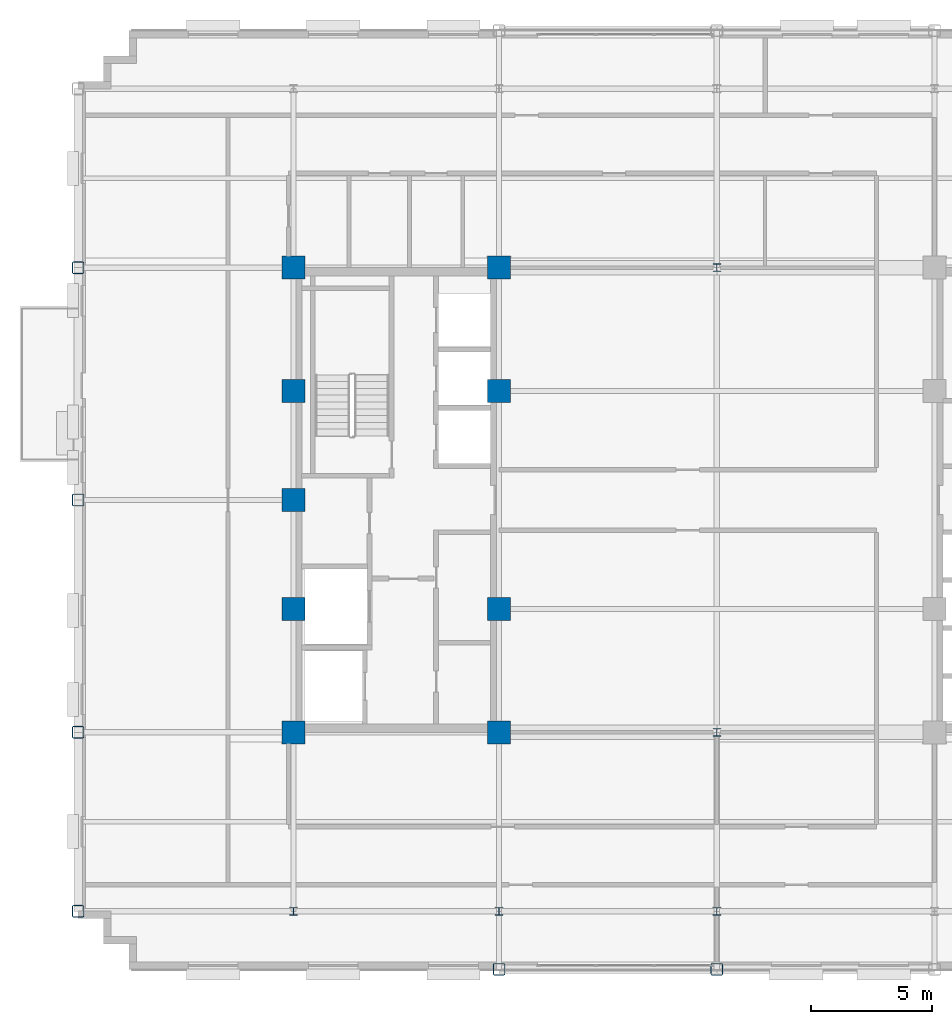
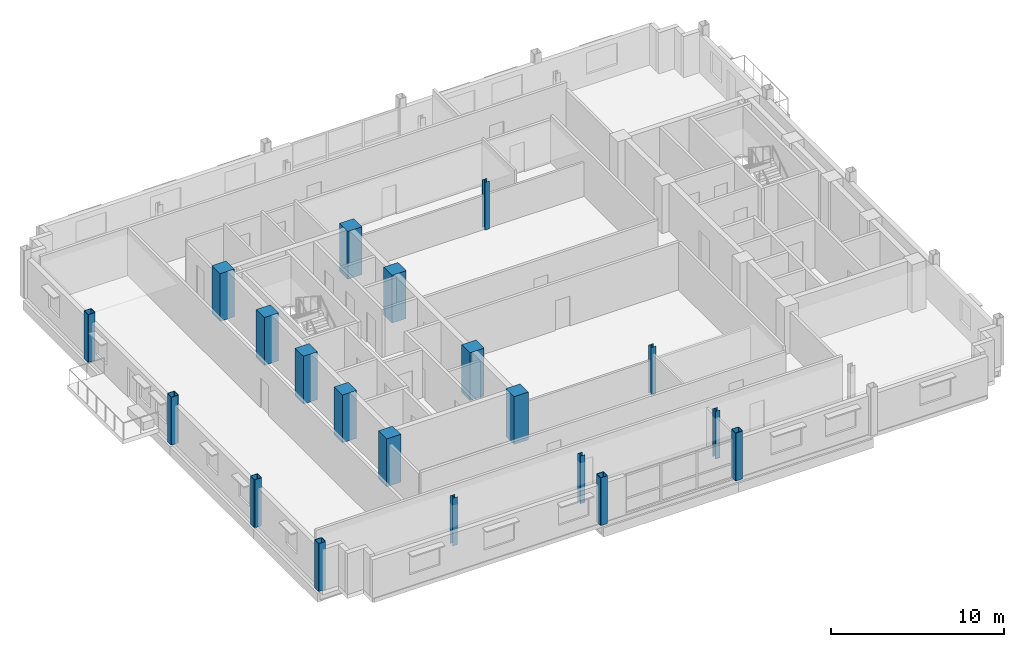
# One storey, part 1 of 15: 20 columns.
"""IFC4 building model written with IfcOpenShell, lengths in metres."""

import ifcopenshell
import ifcopenshell.guid

model = None  # the IFC model being written
_history = None  # IfcOwnerHistory: only IFC2X3 demands one
_inside = {}  # id of a spatial element -> (the spatial element, [elements in it])
_under = {}  # id of a project, library or spatial element -> (it, [spatial elements below it])
_declared = {}  # id of a project -> (the project, [libraries it declares])
_typed = {}  # id of a type object -> (the type object, [elements of that type])
_made_of = {}  # id of a material, layer set ... -> (it, [elements and type objects made of it])


def new_model(schema):
    """Start an empty IFC model of exactly this schema.

    Asked for "IFC4X3", IfcOpenShell would pick the latest addendum, in which some entities
    have other attributes; the version numbers below select the first issue.
    IFC2X3 requires an IfcOwnerHistory on every rooted entity: one is made here for all.
    """
    global model, _history
    if schema == "IFC4X3":
        model = ifcopenshell.file(schema_version=(4, 3, 0, 0))
    else:
        model = ifcopenshell.file(schema=schema)
    _inside.clear()
    _under.clear()
    _declared.clear()
    _typed.clear()
    _made_of.clear()
    _history = None
    if model.schema == "IFC2X3":
        org = make("IfcOrganization", Name="unknown")
        user = make(
            "IfcPersonAndOrganization",
            ThePerson=make("IfcPerson", FamilyName="unknown"),
            TheOrganization=org,
        )
        app = make(
            "IfcApplication",
            ApplicationDeveloper=org,
            Version="unknown",
            ApplicationFullName="unknown",
            ApplicationIdentifier="unknown",
        )
        _history = make(
            "IfcOwnerHistory",
            OwningUser=user,
            OwningApplication=app,
            ChangeAction="ADDED",
            CreationDate=0,
        )
    return model


def make(cls, **values):
    """One entity of the class cls with the attributes given. An attribute that is None is left unset."""
    return model.create_entity(
        cls, **{name: value for name, value in values.items() if value is not None}
    )


def rooted(cls, **values):
    """An entity with a GlobalId (a new one), such as an element, a storey or a relation."""
    return make(cls, GlobalId=ifcopenshell.guid.new(), OwnerHistory=_history, **values)


def si_unit(unit_type, name, prefix=None):
    """IfcSIUnit, for example si_unit("LENGTHUNIT", "METRE", prefix="MILLI")."""
    return make("IfcSIUnit", UnitType=unit_type, Prefix=prefix, Name=name)


def assignment(units):
    """IfcUnitAssignment: the units of a project."""
    return None if units is None else make("IfcUnitAssignment", Units=units)


def point(xyz):
    """IfcCartesianPoint."""
    return None if xyz is None else make("IfcCartesianPoint", Coordinates=xyz)


def direction(xyz):
    """IfcDirection."""
    return None if xyz is None else make("IfcDirection", DirectionRatios=xyz)


def frame(location, z_axis=None, x_axis=None):
    """IfcAxis2Placement3D, a coordinate frame: its origin and axes. An axis left out is left unset."""
    return make(
        "IfcAxis2Placement3D",
        Location=point(location),
        Axis=direction(z_axis),
        RefDirection=direction(x_axis),
    )


def frame_2d(location, x_axis=None):
    """IfcAxis2Placement2D, a coordinate frame in the plane: its origin and x axis."""
    return make(
        "IfcAxis2Placement2D", Location=point(location), RefDirection=direction(x_axis)
    )


def origin():
    """The frame at (0, 0, 0) with its axes left unset."""
    return frame((0.0, 0.0, 0.0))


def origin_2d():
    """The frame at (0, 0) in the plane with its x axis left unset."""
    return frame_2d((0.0, 0.0))


def place(relative_to, where):
    """IfcLocalPlacement: puts the frame where relative to a parent placement (None: the world)."""
    return make(
        "IfcLocalPlacement", PlacementRelTo=relative_to, RelativePlacement=where
    )


def context(
    kind, dimensions, precision=None, world=None, true_north=None, identifier=None
):
    """IfcGeometricRepresentationContext, for example the 3D "Model" context."""
    return make(
        "IfcGeometricRepresentationContext",
        ContextIdentifier=identifier,
        ContextType=kind,
        CoordinateSpaceDimension=dimensions,
        Precision=precision,
        WorldCoordinateSystem=world,
        TrueNorth=true_north,
    )


def subcontext(parent, identifier, kind, view, scale=None):
    """IfcGeometricRepresentationSubContext, for example "Body" below "Model"."""
    return make(
        "IfcGeometricRepresentationSubContext",
        ContextIdentifier=identifier,
        ContextType=kind,
        ParentContext=parent,
        TargetScale=scale,
        TargetView=view,
    )


def project(units=None, contexts=None):
    """IfcProject with its units and contexts."""
    return rooted(
        "IfcProject",
        Name="project",
        RepresentationContexts=contexts,
        UnitsInContext=assignment(units),
    )


def spatial(cls, under=None, at=None, **own):
    """A site, building, storey or space (cls), placed at a placement, below another one or the project."""
    s = rooted(cls, ObjectPlacement=at, **own)
    if under is not None:
        _under.setdefault(under.id(), (under, []))[1].append(s)
    return s


def profile(cls, at=None, kind="AREA", **sizes):
    """A parametric profile (cls). Its sizes go by their IFC names, for example OverallWidth=200.0."""
    return make(cls, ProfileType=kind, Position=at, **sizes)


def rectangle(**sizes):
    """IfcRectangleProfileDef."""
    return profile("IfcRectangleProfileDef", **sizes)


def hollow_rectangle(**sizes):
    """IfcRectangleHollowProfileDef."""
    return profile("IfcRectangleHollowProfileDef", **sizes)


def i_section(**sizes):
    """IfcIShapeProfileDef."""
    return profile("IfcIShapeProfileDef", **sizes)


def extrude(swept, where, along, depth):
    """IfcExtrudedAreaSolid: the profile swept, set in the frame where, extruded along a direction by depth."""
    return make(
        "IfcExtrudedAreaSolid",
        SweptArea=swept,
        Position=where,
        ExtrudedDirection=direction(along),
        Depth=depth,
    )


def shape(context_of_items, identifier, shape_type, items):
    """IfcShapeRepresentation: the items that make up one representation, for example the "Body"."""
    return make(
        "IfcShapeRepresentation",
        ContextOfItems=context_of_items,
        RepresentationIdentifier=identifier,
        RepresentationType=shape_type,
        Items=items,
    )


def material(Name=None, Category=None):
    """IfcMaterial."""
    return make("IfcMaterial", Name=Name, Category=Category)


def material_profile(
    of_material, cross_section, Name=None, Category=None, Priority=None
):
    """IfcMaterialProfile: a cross section and its material."""
    return make(
        "IfcMaterialProfile",
        Name=Name,
        Material=of_material,
        Profile=cross_section,
        Priority=Priority,
        Category=Category,
    )


def profile_set(profiles, Name=None, composite=None):
    """IfcMaterialProfileSet."""
    return make(
        "IfcMaterialProfileSet",
        Name=Name,
        MaterialProfiles=profiles,
        CompositeProfile=composite,
    )


def made_of(thing, what):
    """Note that an element or type object is made of a material, layer set ...; save() writes the relation."""
    if what is not None:
        _made_of.setdefault(what.id(), (what, []))[1].append(thing)
    return thing


def type_object(cls, material=None, **own):
    """A type object (cls), such as IfcWallType, which elements share."""
    return made_of(rooted(cls, **own), material)


def element(
    cls,
    number,
    at=None,
    inside=None,
    cuts=None,
    type_object=None,
    material=None,
    context=None,
    identifier="Body",
    shape_type=None,
    held_by="IfcProductDefinitionShape",
    body=None,
    shapes=None,
    **own,
):
    """One element of the class cls, such as IfcWall. Its Tag is "e" and its number.

    at: its placement. inside: the storey or other place that contains it. cuts: it is an
    opening in that element (IfcRelVoidsElement). A single representation is given by context,
    identifier, shape_type and body (its items); several are given by shapes. held_by: the class
    of the entity that holds the representations. save() writes the other relations.
    """
    e = rooted(cls, Tag="e%d" % number, ObjectPlacement=at, **own)
    if body is not None:
        shapes = [shape(context, identifier, shape_type, body)]
    if shapes is not None:
        e.Representation = make(held_by, Representations=shapes)
    if inside is not None:
        _inside.setdefault(inside.id(), (inside, []))[1].append(e)
    if cuts is not None:
        rooted(
            "IfcRelVoidsElement", RelatingBuildingElement=cuts, RelatedOpeningElement=e
        )
    if type_object is not None:
        _typed.setdefault(type_object.id(), (type_object, []))[1].append(e)
    return made_of(e, material)


def aggregate(whole, parts):
    """IfcRelAggregates: a whole, such as a stair, and the parts it consists of."""
    return rooted("IfcRelAggregates", RelatingObject=whole, RelatedObjects=parts)


def save(model, path):
    """Write the relations noted so far, then the file.

    IfcRelAggregates (storeys below a building ...), IfcRelContainedInSpatialStructure (elements
    in a storey), IfcRelDefinesByType, IfcRelAssociatesMaterial and IfcRelDeclares: one each for
    every whole, place, type object, material and project.
    """
    for whole, parts in _under.values():
        aggregate(whole, parts)
    for where, things in _inside.values():
        rooted(
            "IfcRelContainedInSpatialStructure",
            RelatedElements=things,
            RelatingStructure=where,
        )
    for kind, things in _typed.values():
        rooted("IfcRelDefinesByType", RelatedObjects=things, RelatingType=kind)
    for what, things in _made_of.values():
        rooted("IfcRelAssociatesMaterial", RelatedObjects=things, RelatingMaterial=what)
    for by, libraries in _declared.values():
        rooted("IfcRelDeclares", RelatingContext=by, RelatedDefinitions=libraries)
    model.write(path)


model = new_model("IFC4")

# Units and contexts
model_context = context("Model", 3, precision=1e-05, world=origin(), true_north=direction((0.0, 1.0)))
body_context = subcontext(model_context, "Body", "Model", "MODEL_VIEW")
ifc_project = project(units=[si_unit("LENGTHUNIT", "METRE"), si_unit("AREAUNIT", "SQUARE_METRE"), si_unit("VOLUMEUNIT", "CUBIC_METRE"), si_unit("PLANEANGLEUNIT", "RADIAN"), si_unit("MASSUNIT", "GRAM", prefix="KILO")], contexts=[model_context])

# Site, building, storey
site_placement = place(None, origin())
site = spatial("IfcSite", under=ifc_project, at=site_placement, CompositionType="ELEMENT")
building_placement = place(site_placement, origin())
building = spatial("IfcBuilding", under=site, at=building_placement, Name="Nuvemarco Arch Tower", CompositionType="ELEMENT")
storey_placement = place(building_placement, frame((0.0, 0.0, 223.75)))
storey = spatial("IfcBuildingStorey", under=building, at=storey_placement, Name="L59", CompositionType="ELEMENT", Elevation=223.75)

# Columns
ifc_material_1 = material(Name="Concrete C50/60", Category="concrete")
ifc_material_profile_1 = material_profile(ifc_material_1, rectangle(XDim=0.949951171875, YDim=0.949951171875, at=origin_2d()), Name="RC-COL-950x950")
ifc_profile_set_1 = profile_set([ifc_material_profile_1], Name="Concrete C50/60")
column_type_1 = type_object("IfcColumnType", Name="COL-CORE-950", PredefinedType="COLUMN", material=ifc_profile_set_1)
for number, where, z_axis, x_axis, name in (
    (1, (-17.5, -9.60009765625, 0.0), (0.0, 0.0, 1.0), (1.0, 0.0, 0.0), "L59 column CC_-17.5_-9.6"),
    (2, (-17.5, -4.5, 0.0), (0.0, 0.0, 1.0), (1.0, 0.0, 0.0), "L59 column CC_-17.5_-4.5"),
    (3, (-17.5, 4.5, 0.0), (0.0, 0.0, 1.0), (1.0, 0.0, 0.0), "L59 column CC_-17.5_+4.5"),
    (4, (-17.5, 9.60009765625, 0.0), (0.0, 0.0, 1.0), (1.0, 0.0, 0.0), "L59 column CC_-17.5_+9.6"),
    (5, (-9.0, -9.60009765625, 0.0), (0.0, 0.0, 1.0), (1.0, 0.0, 0.0), "L59 column CC_-9.0_-9.6"),
    (6, (-9.0, -4.5, 0.0), (0.0, 0.0, 1.0), (1.0, 0.0, 0.0), "L59 column CC_-9.0_-4.5"),
    (7, (-9.0, 4.5, 0.0), (0.0, 0.0, 1.0), (1.0, 0.0, 0.0), "L59 column CC_-9.0_+4.5"),
    (8, (-9.0, 9.60009765625, 0.0), (0.0, 0.0, 1.0), (1.0, 0.0, 0.0), "L59 column CC_-9.0_+9.6"),
    (9, (-17.5, 0.0, 0.0), (0.0, 0.0, 1.0), (1.0, 0.0, 0.0), "L59 column CC_-17.5_+0.0"),
):
    element("IfcColumn", number, at=place(storey_placement, frame(where, z_axis=z_axis, x_axis=x_axis)), inside=storey, type_object=column_type_1, Name=name, PredefinedType="COLUMN", context=body_context, shape_type="SweptSolid", body=[
        extrude(rectangle(XDim=0.949951171875, YDim=0.949951171875, at=origin_2d()), origin(), (0.0, 0.0, 1.0), 3.3701171875),
    ])
ifc_material_2 = material(Name="Steel S355", Category="steel")
ifc_material_profile_2 = material_profile(ifc_material_2, hollow_rectangle(XDim=0.5, YDim=0.5, WallThickness=0.031982421875, InnerFilletRadius=0.031982421875, OuterFilletRadius=0.06396484375, at=origin_2d()), Name="SHS500x500x32")
ifc_profile_set_2 = profile_set([ifc_material_profile_2], Name="Steel S355")
column_type_2 = type_object("IfcColumnType", Name="COL-EXO-500", PredefinedType="COLUMN", material=ifc_profile_set_2)
for number, where, z_axis, x_axis, name in (
    (10, (-26.39990234375, -17.0, 0.0), (0.0, 0.0, 1.0), (1.0, 0.0, 0.0), "L59 column CX_-26.4_-17.0"),
    (11, (-26.39990234375, -9.60009765625, 0.0), (0.0, 0.0, 1.0), (1.0, 0.0, 0.0), "L59 column CX_-26.4_-9.6"),
    (12, (-26.39990234375, 0.0, 0.0), (0.0, 0.0, 1.0), (1.0, 0.0, 0.0), "L59 column CX_-26.4_+0.0"),
    (13, (-26.39990234375, 9.60009765625, 0.0), (0.0, 0.0, 1.0), (1.0, 0.0, 0.0), "L59 column CX_-26.4_+9.6"),
    (14, (-9.0, -19.39990234375, 0.0), (0.0, 0.0, 1.0), (1.0, 0.0, 0.0), "L59 column CY_-9.0_-19.4"),
    (15, (0.0, -19.39990234375, 0.0), (0.0, 0.0, 1.0), (1.0, 0.0, 0.0), "L59 column CY_+0.0_-19.4"),
):
    element("IfcColumn", number, at=place(storey_placement, frame(where, z_axis=z_axis, x_axis=x_axis)), inside=storey, type_object=column_type_2, Name=name, PredefinedType="COLUMN", context=body_context, shape_type="SweptSolid", body=[
        extrude(hollow_rectangle(XDim=0.5, YDim=0.5, WallThickness=0.031982421875, InnerFilletRadius=0.031982421875, OuterFilletRadius=0.06396484375, at=origin_2d()), origin(), (0.0, 0.0, 1.0), 3.3701171875),
    ])
ifc_material_profile_3 = material_profile(ifc_material_2, i_section(OverallWidth=0.31005859375, OverallDepth=0.31005859375, WebThickness=0.015380859375, FlangeThickness=0.015380859375, FilletRadius=0.014892578125, at=origin_2d()), Name="HP310x110")
ifc_profile_set_3 = profile_set([ifc_material_profile_3], Name="Steel S355")
column_type_3 = type_object("IfcColumnType", Name="COL-STL-HP310", PredefinedType="COLUMN", material=ifc_profile_set_3)
for number, where, z_axis, x_axis, name in (
    (16, (0.0, -17.0, 0.0), (0.0, 0.0, 1.0), (1.0, 0.0, 0.0), "L59 column CI_+0.0_-17.0"),
    (17, (0.0, -9.60009765625, 0.0), (0.0, 0.0, 1.0), (1.0, 0.0, 0.0), "L59 column CI_+0.0_-9.6"),
    (18, (0.0, 9.60009765625, 0.0), (0.0, 0.0, 1.0), (1.0, 0.0, 0.0), "L59 column CI_+0.0_+9.6"),
    (19, (-17.5, -17.0, 0.0), (0.0, 0.0, 1.0), (1.0, 0.0, 0.0), "L59 column CI_-17.5_-17.0"),
    (20, (-9.0, -17.0, 0.0), (0.0, 0.0, 1.0), (1.0, 0.0, 0.0), "L59 column CI_-9.0_-17.0"),
):
    element("IfcColumn", number, at=place(storey_placement, frame(where, z_axis=z_axis, x_axis=x_axis)), inside=storey, type_object=column_type_3, Name=name, PredefinedType="COLUMN", context=body_context, shape_type="SweptSolid", body=[
        extrude(i_section(OverallWidth=0.31005859375, OverallDepth=0.31005859375, WebThickness=0.015380859375, FlangeThickness=0.015380859375, FilletRadius=0.014892578125, at=origin_2d()), origin(), (0.0, 0.0, 1.0), 3.3701171875),
    ])

save(model, "model.ifc")
